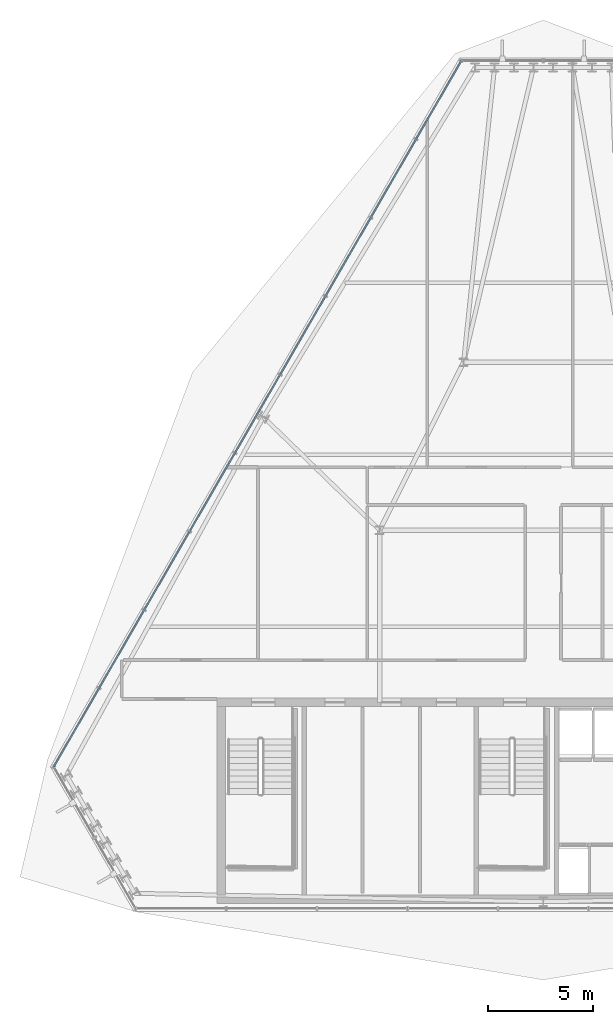
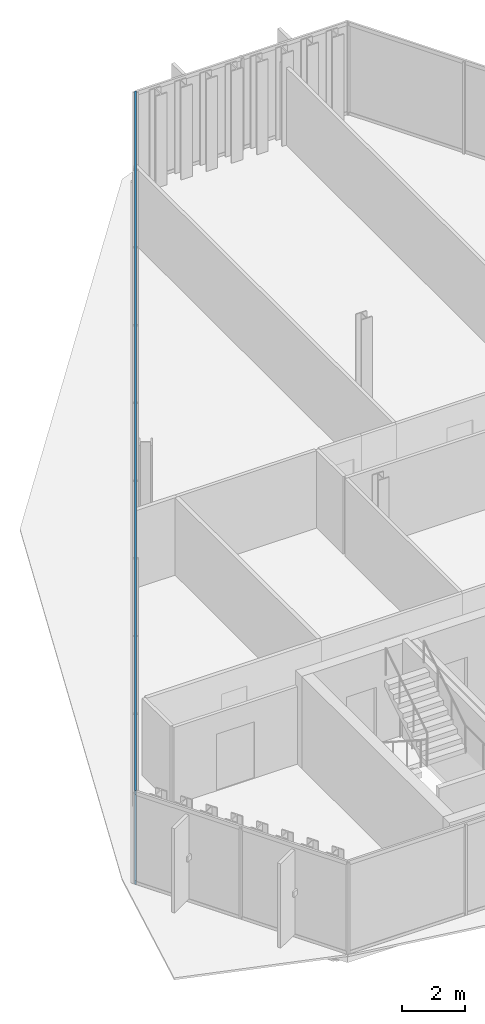
# One storey, part 13 of 37: 2 members, 1 element without a shape of its own.
"""IFC4 building model written with IfcOpenShell, lengths in metres."""

from ifc_helpers import new_model, si_unit, direction, frame, origin, origin_2d, place, context, subcontext, project, spatial, hollow_rectangle, extrude, material, layer, layer_set, material_profile, profile_set, type_object, element, aggregate, save


model = new_model("IFC4")

# Units and contexts
model_context = context("Model", 3, precision=1e-05, world=origin(), true_north=direction((0.0, 1.0)))
body_context = subcontext(model_context, "Body", "Model", "MODEL_VIEW")
ifc_project = project(units=[si_unit("LENGTHUNIT", "METRE"), si_unit("AREAUNIT", "SQUARE_METRE"), si_unit("VOLUMEUNIT", "CUBIC_METRE"), si_unit("PLANEANGLEUNIT", "RADIAN"), si_unit("MASSUNIT", "GRAM", prefix="KILO")], contexts=[model_context])

# Site, building, storey
site_placement = place(None, origin())
site = spatial("IfcSite", under=ifc_project, at=site_placement, CompositionType="ELEMENT")
building_placement = place(site_placement, origin())
building = spatial("IfcBuilding", under=site, at=building_placement, Name="Ndaravel Arena Tower", CompositionType="ELEMENT")
storey_placement = place(building_placement, frame((0.0, 0.0, 218.0)))
storey = spatial("IfcBuildingStorey", under=building, at=storey_placement, Name="L52", CompositionType="ELEMENT", Elevation=218.0)

# Curtain wall, members
ifc_material_1 = material(Name="Aluminium", Category="aluminium")
ifc_layer = layer(ifc_material_1, 0.179931640625)
ifc_layer_set = layer_set([ifc_layer], Name="Aluminium")
curtain_wall_type = type_object("IfcCurtainWallType", Name="CW-SYS-03", PredefinedType="NOTDEFINED", material=ifc_layer_set)
curtain_wall_placement = place(storey_placement, origin())
curtain_wall = element("IfcCurtainWall", 1, at=curtain_wall_placement, inside=storey, type_object=curtain_wall_type, Name="L52 Faceted Crystal Curtain Wall CW-L52-E05", PredefinedType="NOTDEFINED")
ifc_material_2 = material(Name="Aluminium", Category="aluminium")
ifc_material_profile = material_profile(ifc_material_2, hollow_rectangle(XDim=0.074951171875, YDim=0.14990234375, WallThickness=0.00390625, at=origin_2d()), Name="CW TRANSOM 75x150x4")
ifc_profile_set = profile_set([ifc_material_profile], Name="Aluminium")
member_type = type_object("IfcMemberType", Name="MEM-CW-TRN150", PredefinedType="USERDEFINED", material=ifc_profile_set)
member_1_placement = place(storey_placement, frame((38.09814453125, 45.57763671875, 0.0400390625), z_axis=(-0.500001393255, -0.866024599387, 0.0), x_axis=(0.866024599387, -0.500001393255, 0.0)))
member_1 = element("IfcMember", 2, at=member_1_placement, type_object=member_type, Name="CW-L52-E05 Transom 01", ObjectType="TRANSOM", PredefinedType="USERDEFINED", context=body_context, shape_type="SweptSolid", body=[
    extrude(hollow_rectangle(XDim=0.074951171875, YDim=0.14990234375, WallThickness=0.00390625, at=origin_2d()), origin(), (0.0, 0.0, 1.0), 38.86669921875),
])
member_2_placement = place(storey_placement, frame((38.09814453125, 45.57763671875, 3.5400390625), z_axis=(-0.500001393255, -0.866024599387, 0.0), x_axis=(0.866024599387, -0.500001393255, 0.0)))
member_2 = element("IfcMember", 3, at=member_2_placement, type_object=member_type, Name="CW-L52-E05 Transom 02", ObjectType="TRANSOM", PredefinedType="USERDEFINED", context=body_context, shape_type="SweptSolid", body=[
    extrude(hollow_rectangle(XDim=0.074951171875, YDim=0.14990234375, WallThickness=0.00390625, at=origin_2d()), origin(), (0.0, 0.0, 1.0), 38.86669921875),
])
aggregate(curtain_wall, [member_1, member_2])

save(model, "model.ifc")
